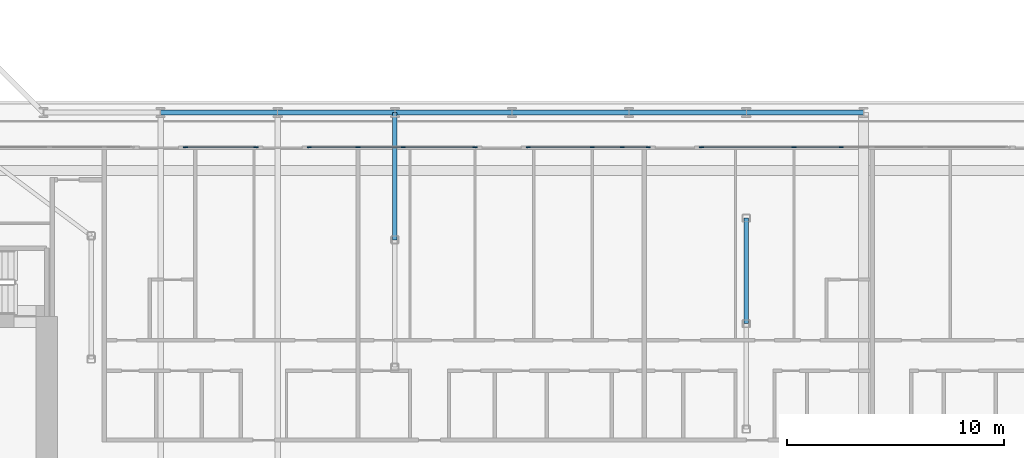
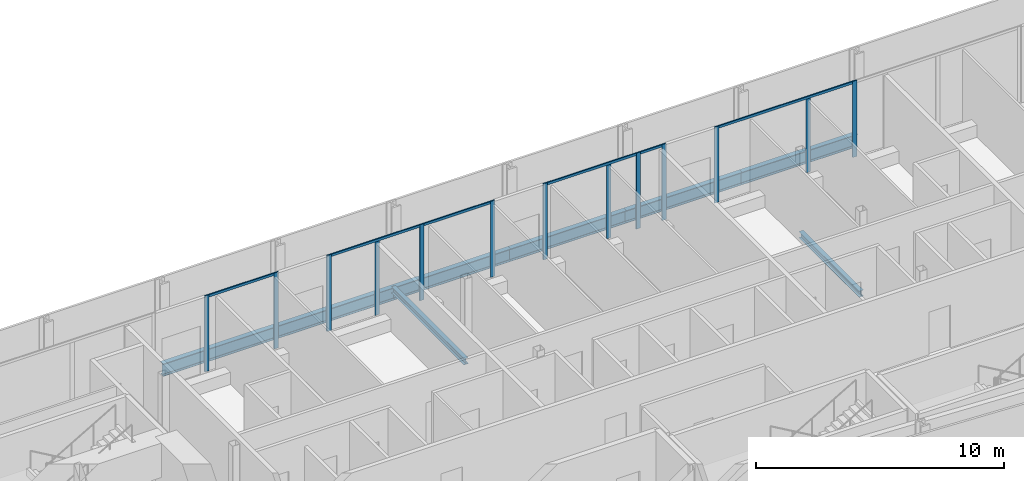
# One storey, part 6 of 28: 19 members, 8 beams, 6 elements without a shape of their own.
"""IFC4 building model written with IfcOpenShell, lengths in metres."""

from ifc_helpers import new_model, si_unit, direction, frame, origin, origin_2d, place, context, subcontext, project, spatial, rectangle, i_section, extrude, material, layer, layer_set, material_profile, profile_set, type_object, element, aggregate, save


model = new_model("IFC4")

# Units and contexts
model_context = context("Model", 3, precision=1e-05, world=origin(), true_north=direction((0.0, 1.0)))
body_context = subcontext(model_context, "Body", "Model", "MODEL_VIEW")
ifc_project = project(units=[si_unit("LENGTHUNIT", "METRE"), si_unit("AREAUNIT", "SQUARE_METRE"), si_unit("VOLUMEUNIT", "CUBIC_METRE"), si_unit("PLANEANGLEUNIT", "RADIAN"), si_unit("MASSUNIT", "GRAM", prefix="KILO")], contexts=[model_context])

# Site, building, storey
site_placement = place(None, origin())
site = spatial("IfcSite", under=ifc_project, at=site_placement, CompositionType="ELEMENT")
building_placement = place(site_placement, origin())
building = spatial("IfcBuilding", under=site, at=building_placement, Name="Kheshtan School and Residences Tower", CompositionType="ELEMENT")
storey_placement = place(building_placement, frame((0.0, 0.0, 73.39990234375)))
storey = spatial("IfcBuildingStorey", under=building, at=storey_placement, Name="L17", CompositionType="ELEMENT", Elevation=73.39990234375)

# Beams
ifc_material_1 = material(Name="Steel ASTM A992 Grade 50", Category="steel")
ifc_material_profile_1 = material_profile(ifc_material_1, i_section(OverallWidth=0.202880859375, OverallDepth=0.302978515625, WebThickness=0.007568359375, FlangeThickness=0.01318359375, FilletRadius=0.009033203125, at=origin_2d()), Name="W310x60")
ifc_profile_set_1 = profile_set([ifc_material_profile_1], Name="Steel ASTM A992 Grade 50")
beam_type_1 = type_object("IfcBeamType", Name="Beam FB1 W310x60 ASTM A992 Grade 50", PredefinedType="BEAM", material=ifc_profile_set_1)
beam_1_placement = place(storey_placement, frame((69.199951171875, 45.60009765625, -0.301513671875), z_axis=(0.0, -1.0, 0.0), x_axis=(1.0, 0.0, 0.0)))
element("IfcBeam", 1, at=beam_1_placement, inside=storey, type_object=beam_type_1, Name="Floor beam C064", PredefinedType="BEAM", context=body_context, shape_type="SweptSolid", body=[
    extrude(i_section(OverallWidth=0.202880859375, OverallDepth=0.302978515625, WebThickness=0.007568359375, FlangeThickness=0.01318359375, FilletRadius=0.009033203125, at=origin_2d()), origin(), (0.0, 0.0, 1.0), 5.8681640625),
])
beam_2_placement = place(storey_placement, frame((85.39990234375, 40.735107421875, -0.301513671875), z_axis=(0.0, -1.0, 0.0), x_axis=(1.0, 0.0, 0.0)))
element("IfcBeam", 2, at=beam_2_placement, inside=storey, type_object=beam_type_1, Name="Floor beam IC", PredefinedType="BEAM", context=body_context, shape_type="SweptSolid", body=[
    extrude(i_section(OverallWidth=0.202880859375, OverallDepth=0.302978515625, WebThickness=0.007568359375, FlangeThickness=0.01318359375, FilletRadius=0.009033203125, at=origin_2d()), origin(), (0.0, 0.0, 1.0), 4.864990234375),
])
ifc_material_profile_2 = material_profile(ifc_material_1, i_section(OverallWidth=0.22998046875, OverallDepth=0.616943359375, WebThickness=0.01318359375, FlangeThickness=0.022216796875, FilletRadius=0.0185546875, at=origin_2d()), Name="W610x140")
ifc_profile_set_2 = profile_set([ifc_material_profile_2], Name="Steel ASTM A992 Grade 50")
beam_type_2 = type_object("IfcBeamType", Name="Beam SP1 W610x140 ASTM A992 Grade 50", PredefinedType="BEAM", material=ifc_profile_set_2)
beam_3_placement = place(storey_placement, frame((58.39990234375, 45.60009765625, -0.45849609375), z_axis=(1.0, 0.0, 0.0), x_axis=(0.0, 1.0, 0.0)))
element("IfcBeam", 3, at=beam_3_placement, inside=storey, type_object=beam_type_2, Name="Spandrel beam C062-C063", PredefinedType="BEAM", context=body_context, shape_type="SweptSolid", body=[
    extrude(i_section(OverallWidth=0.22998046875, OverallDepth=0.616943359375, WebThickness=0.01318359375, FlangeThickness=0.022216796875, FilletRadius=0.0185546875, at=origin_2d()), origin(), (0.0, 0.0, 1.0), 5.400146484375),
])
beam_4_placement = place(storey_placement, frame((63.800048828125, 45.60009765625, -0.45849609375), z_axis=(1.0, 0.0, 0.0), x_axis=(0.0, 1.0, 0.0)))
element("IfcBeam", 4, at=beam_4_placement, inside=storey, type_object=beam_type_2, Name="Spandrel beam C063-C064", PredefinedType="BEAM", context=body_context, shape_type="SweptSolid", body=[
    extrude(i_section(OverallWidth=0.22998046875, OverallDepth=0.616943359375, WebThickness=0.01318359375, FlangeThickness=0.022216796875, FilletRadius=0.0185546875, at=origin_2d()), origin(), (0.0, 0.0, 1.0), 5.39990234375),
])
beam_5_placement = place(storey_placement, frame((69.199951171875, 45.60009765625, -0.45849609375), z_axis=(1.0, 0.0, 0.0), x_axis=(0.0, 1.0, 0.0)))
element("IfcBeam", 5, at=beam_5_placement, inside=storey, type_object=beam_type_2, Name="Spandrel beam C064-C065", PredefinedType="BEAM", context=body_context, shape_type="SweptSolid", body=[
    extrude(i_section(OverallWidth=0.22998046875, OverallDepth=0.616943359375, WebThickness=0.01318359375, FlangeThickness=0.022216796875, FilletRadius=0.0185546875, at=origin_2d()), origin(), (0.0, 0.0, 1.0), 5.400146484375),
])
for number, where, z_axis, x_axis, name in (
    (6, (74.60009765625, 45.60009765625, -0.45849609375), (1.0, 0.0, 0.0), (0.0, 1.0, 0.0), "Spandrel beam C065-C066"),
    (7, (80.0, 45.60009765625, -0.45849609375), (1.0, 0.0, 0.0), (0.0, 1.0, 0.0), "Spandrel beam C066-C067"),
):
    element("IfcBeam", number, at=place(storey_placement, frame(where, z_axis=z_axis, x_axis=x_axis)), inside=storey, type_object=beam_type_2, Name=name, PredefinedType="BEAM", context=body_context, shape_type="SweptSolid", body=[
        extrude(i_section(OverallWidth=0.22998046875, OverallDepth=0.616943359375, WebThickness=0.01318359375, FlangeThickness=0.022216796875, FilletRadius=0.0185546875, at=origin_2d()), origin(), (0.0, 0.0, 1.0), 5.39990234375),
    ])
beam_6_placement = place(storey_placement, frame((85.39990234375, 45.60009765625, -0.45849609375), z_axis=(1.0, 0.0, 0.0), x_axis=(0.0, 1.0, 0.0)))
element("IfcBeam", 8, at=beam_6_placement, inside=storey, type_object=beam_type_2, Name="Spandrel beam C067-C068", PredefinedType="BEAM", context=body_context, shape_type="SweptSolid", body=[
    extrude(i_section(OverallWidth=0.22998046875, OverallDepth=0.616943359375, WebThickness=0.01318359375, FlangeThickness=0.022216796875, FilletRadius=0.0185546875, at=origin_2d()), origin(), (0.0, 0.0, 1.0), 5.400146484375),
])

# Curtain wall, members
ifc_material_2 = material(Name="Clear low-e glass in thermally broken aluminium frame", Category="aluminium")
ifc_layer = layer(ifc_material_2, 0.199951171875)
ifc_layer_set = layer_set([ifc_layer], Name="Curtain wall CW-L")
curtain_wall_type = type_object("IfcCurtainWallType", Name="Curtain wall CW-L", PredefinedType="NOTDEFINED", material=ifc_layer_set)
curtain_wall_1_placement = place(storey_placement, origin())
curtain_wall_1 = element("IfcCurtainWall", 9, at=curtain_wall_1_placement, inside=storey, type_object=curtain_wall_type, Name="Curtain wall CWL12n", PredefinedType="NOTDEFINED")
ifc_material_3 = material(Name="Thermally broken aluminium, dark bronze anodised", Category="aluminium")
ifc_material_profile_3 = material_profile(ifc_material_3, rectangle(XDim=0.06005859375, YDim=0.199951171875, at=origin_2d()), Name="CW-L mullion 60x200")
ifc_profile_set_3 = profile_set([ifc_material_profile_3], Name="Thermally broken aluminium, dark bronze anodised")
member_type_1 = type_object("IfcMemberType", Name="CW-L mullion 60x200", PredefinedType="MULLION", material=ifc_profile_set_3)
member_1_placement = place(storey_placement, frame((59.553955078125, 44.0, 0.0), z_axis=(0.0, 0.0, 1.0), x_axis=(0.0, 1.0, 0.0)))
member_1 = element("IfcMember", 10, at=member_1_placement, type_object=member_type_1, Name="CWL12n mullion 1", PredefinedType="MULLION", context=body_context, shape_type="SweptSolid", body=[
    extrude(rectangle(XDim=0.06005859375, YDim=0.199951171875, at=origin_2d()), origin(), (0.0, 0.0, 1.0), 3.75),
])
member_2_placement = place(storey_placement, frame((62.7939453125, 44.0, 0.0), z_axis=(0.0, 0.0, 1.0), x_axis=(0.0, 1.0, 0.0)))
member_2 = element("IfcMember", 11, at=member_2_placement, type_object=member_type_1, Name="CWL12n mullion 2", PredefinedType="MULLION", context=body_context, shape_type="SweptSolid", body=[
    extrude(rectangle(XDim=0.06005859375, YDim=0.199951171875, at=origin_2d()), origin(), (0.0, 0.0, 1.0), 3.75),
])

curtain_wall_2_placement = place(storey_placement, origin())
curtain_wall_2 = element("IfcCurtainWall", 12, at=curtain_wall_2_placement, inside=storey, type_object=curtain_wall_type, Name="Curtain wall CWL12o", PredefinedType="NOTDEFINED")
member_3_placement = place(storey_placement, frame((65.25390625, 44.0, 0.0), z_axis=(0.0, 0.0, 1.0), x_axis=(0.0, 1.0, 0.0)))
member_3 = element("IfcMember", 13, at=member_3_placement, type_object=member_type_1, Name="CWL12o mullion 1", PredefinedType="MULLION", context=body_context, shape_type="SweptSolid", body=[
    extrude(rectangle(XDim=0.06005859375, YDim=0.199951171875, at=origin_2d()), origin(), (0.0, 0.0, 1.0), 3.75),
])
member_4_placement = place(storey_placement, frame((67.5, 44.0, 0.0), z_axis=(0.0, 0.0, 1.0), x_axis=(0.0, 1.0, 0.0)))
member_4 = element("IfcMember", 14, at=member_4_placement, type_object=member_type_1, Name="CWL12o mullion 2", PredefinedType="MULLION", context=body_context, shape_type="SweptSolid", body=[
    extrude(rectangle(XDim=0.06005859375, YDim=0.199951171875, at=origin_2d()), origin(), (0.0, 0.0, 1.0), 3.630126953125),
])
member_5_placement = place(storey_placement, frame((69.587890625, 44.0, 0.0), z_axis=(0.0, 0.0, 1.0), x_axis=(0.0, 1.0, 0.0)))
member_5 = element("IfcMember", 15, at=member_5_placement, type_object=member_type_1, Name="CWL12o mullion 3", PredefinedType="MULLION", context=body_context, shape_type="SweptSolid", body=[
    extrude(rectangle(XDim=0.06005859375, YDim=0.199951171875, at=origin_2d()), origin(), (0.0, 0.0, 1.0), 3.75),
])

# Curtain wall, member
curtain_wall_3_placement = place(storey_placement, origin())
curtain_wall_3 = element("IfcCurtainWall", 16, at=curtain_wall_3_placement, inside=storey, type_object=curtain_wall_type, Name="Curtain wall CWL12n", PredefinedType="NOTDEFINED")
member_6_placement = place(storey_placement, frame((72.887939453125, 44.0, 0.0), z_axis=(0.0, 0.0, 1.0), x_axis=(0.0, 1.0, 0.0)))
member_6 = element("IfcMember", 17, at=member_6_placement, type_object=member_type_1, Name="CWL12n mullion 2", PredefinedType="MULLION", context=body_context, shape_type="SweptSolid", body=[
    extrude(rectangle(XDim=0.06005859375, YDim=0.199951171875, at=origin_2d()), origin(), (0.0, 0.0, 1.0), 3.75),
])

# Curtain wall, members
curtain_wall_4_placement = place(storey_placement, origin())
curtain_wall_4 = element("IfcCurtainWall", 18, at=curtain_wall_4_placement, inside=storey, type_object=curtain_wall_type, Name="Curtain wall CWL12o", PredefinedType="NOTDEFINED")
member_7_placement = place(storey_placement, frame((75.347900390625, 44.0, 0.0), z_axis=(0.0, 0.0, 1.0), x_axis=(0.0, 1.0, 0.0)))
member_7 = element("IfcMember", 19, at=member_7_placement, type_object=member_type_1, Name="CWL12o mullion 1", PredefinedType="MULLION", context=body_context, shape_type="SweptSolid", body=[
    extrude(rectangle(XDim=0.06005859375, YDim=0.199951171875, at=origin_2d()), origin(), (0.0, 0.0, 1.0), 3.75),
])
member_8_placement = place(storey_placement, frame((78.300048828125, 44.0, 0.0), z_axis=(0.0, 0.0, 1.0), x_axis=(0.0, 1.0, 0.0)))
member_8 = element("IfcMember", 20, at=member_8_placement, type_object=member_type_1, Name="CWL12o mullion 2", PredefinedType="MULLION", context=body_context, shape_type="SweptSolid", body=[
    extrude(rectangle(XDim=0.06005859375, YDim=0.199951171875, at=origin_2d()), origin(), (0.0, 0.0, 1.0), 3.630126953125),
])
member_9_placement = place(storey_placement, frame((79.681884765625, 44.0, 0.0), z_axis=(0.0, 0.0, 1.0), x_axis=(0.0, 1.0, 0.0)))
member_9 = element("IfcMember", 21, at=member_9_placement, type_object=member_type_1, Name="CWL12o mullion 3", PredefinedType="MULLION", context=body_context, shape_type="SweptSolid", body=[
    extrude(rectangle(XDim=0.06005859375, YDim=0.199951171875, at=origin_2d()), origin(), (0.0, 0.0, 1.0), 3.75),
])

# Curtain wall, member
curtain_wall_5_placement = place(storey_placement, origin())
curtain_wall_5 = element("IfcCurtainWall", 22, at=curtain_wall_5_placement, inside=storey, type_object=curtain_wall_type, Name="Curtain wall CWL12b", PredefinedType="NOTDEFINED")
member_10_placement = place(storey_placement, frame((80.882080078125, 44.0, 0.0), z_axis=(0.0, 0.0, 1.0), x_axis=(0.0, 1.0, 0.0)))
member_10 = element("IfcMember", 23, at=member_10_placement, type_object=member_type_1, Name="CWL12b mullion 2", PredefinedType="MULLION", context=body_context, shape_type="SweptSolid", body=[
    extrude(rectangle(XDim=0.06005859375, YDim=0.199951171875, at=origin_2d()), origin(), (0.0, 0.0, 1.0), 3.75),
])

# Curtain wall, members
curtain_wall_6_placement = place(storey_placement, origin())
curtain_wall_6 = element("IfcCurtainWall", 24, at=curtain_wall_6_placement, inside=storey, type_object=curtain_wall_type, Name="Curtain wall CWL12p", PredefinedType="NOTDEFINED")
member_11_placement = place(storey_placement, frame((83.342041015625, 44.0, 0.0), z_axis=(0.0, 0.0, 1.0), x_axis=(0.0, 1.0, 0.0)))
member_11 = element("IfcMember", 25, at=member_11_placement, type_object=member_type_1, Name="CWL12p mullion 1", PredefinedType="MULLION", context=body_context, shape_type="SweptSolid", body=[
    extrude(rectangle(XDim=0.06005859375, YDim=0.199951171875, at=origin_2d()), origin(), (0.0, 0.0, 1.0), 3.75),
])
member_12_placement = place(storey_placement, frame((87.60009765625, 44.0, 0.0), z_axis=(0.0, 0.0, 1.0), x_axis=(0.0, 1.0, 0.0)))
member_12 = element("IfcMember", 26, at=member_12_placement, type_object=member_type_1, Name="CWL12p mullion 2", PredefinedType="MULLION", context=body_context, shape_type="SweptSolid", body=[
    extrude(rectangle(XDim=0.06005859375, YDim=0.199951171875, at=origin_2d()), origin(), (0.0, 0.0, 1.0), 3.630126953125),
])
member_13_placement = place(storey_placement, frame((89.77587890625, 44.0, 0.0), z_axis=(0.0, 0.0, 1.0), x_axis=(0.0, 1.0, 0.0)))
member_13 = element("IfcMember", 27, at=member_13_placement, type_object=member_type_1, Name="CWL12p mullion 3", PredefinedType="MULLION", context=body_context, shape_type="SweptSolid", body=[
    extrude(rectangle(XDim=0.06005859375, YDim=0.199951171875, at=origin_2d()), origin(), (0.0, 0.0, 1.0), 3.75),
])

# Member
ifc_material_profile_4 = material_profile(ifc_material_3, rectangle(XDim=0.06005859375, YDim=0.1201171875, at=origin_2d()), Name="CW-L transom 60x120")
ifc_profile_set_4 = profile_set([ifc_material_profile_4], Name="Thermally broken aluminium, dark bronze anodised")
member_type_2 = type_object("IfcMemberType", Name="CW-L transom 60x120", PredefinedType="USERDEFINED", material=ifc_profile_set_4)
member_14_placement = place(storey_placement, frame((59.583984375, 44.0, 3.690185546875), z_axis=(1.0, 0.0, 0.0), x_axis=(0.0, 1.0, 0.0)))
member_14 = element("IfcMember", 28, at=member_14_placement, type_object=member_type_2, Name="CWL12n transom 1", ObjectType="TRANSOM", PredefinedType="USERDEFINED", context=body_context, shape_type="SweptSolid", body=[
    extrude(rectangle(XDim=0.06005859375, YDim=0.1201171875, at=origin_2d()), origin(), (0.0, 0.0, 1.0), 3.179931640625),
])

aggregate(curtain_wall_1, [member_1, member_2, member_14])

member_15_placement = place(storey_placement, frame((65.283935546875, 44.0, 3.690185546875), z_axis=(1.0, 0.0, 0.0), x_axis=(0.0, 1.0, 0.0)))
member_15 = element("IfcMember", 29, at=member_15_placement, type_object=member_type_2, Name="CWL12o transom 1", ObjectType="TRANSOM", PredefinedType="USERDEFINED", context=body_context, shape_type="SweptSolid", body=[
    extrude(rectangle(XDim=0.06005859375, YDim=0.1201171875, at=origin_2d()), origin(), (0.0, 0.0, 1.0), 4.274169921875),
])

aggregate(curtain_wall_2, [member_3, member_4, member_5, member_15])

member_16_placement = place(storey_placement, frame((69.617919921875, 44.0, 3.690185546875), z_axis=(1.0, 0.0, 0.0), x_axis=(0.0, 1.0, 0.0)))
member_16 = element("IfcMember", 30, at=member_16_placement, type_object=member_type_2, Name="CWL12n transom 1", ObjectType="TRANSOM", PredefinedType="USERDEFINED", context=body_context, shape_type="SweptSolid", body=[
    extrude(rectangle(XDim=0.06005859375, YDim=0.1201171875, at=origin_2d()), origin(), (0.0, 0.0, 1.0), 3.239990234375),
])

aggregate(curtain_wall_3, [member_6, member_16])

member_17_placement = place(storey_placement, frame((75.3779296875, 44.0, 3.690185546875), z_axis=(1.0, 0.0, 0.0), x_axis=(0.0, 1.0, 0.0)))
member_17 = element("IfcMember", 31, at=member_17_placement, type_object=member_type_2, Name="CWL12o transom 1", ObjectType="TRANSOM", PredefinedType="USERDEFINED", context=body_context, shape_type="SweptSolid", body=[
    extrude(rectangle(XDim=0.06005859375, YDim=0.1201171875, at=origin_2d()), origin(), (0.0, 0.0, 1.0), 4.274169921875),
])

aggregate(curtain_wall_4, [member_7, member_8, member_9, member_17])

member_18_placement = place(storey_placement, frame((79.7119140625, 44.0, 3.690185546875), z_axis=(1.0, 0.0, 0.0), x_axis=(0.0, 1.0, 0.0)))
member_18 = element("IfcMember", 32, at=member_18_placement, type_object=member_type_2, Name="CWL12b transom 1", ObjectType="TRANSOM", PredefinedType="USERDEFINED", context=body_context, shape_type="SweptSolid", body=[
    extrude(rectangle(XDim=0.06005859375, YDim=0.1201171875, at=origin_2d()), origin(), (0.0, 0.0, 1.0), 1.14013671875),
])

aggregate(curtain_wall_5, [member_10, member_18])

member_19_placement = place(storey_placement, frame((83.3720703125, 44.0, 3.690185546875), z_axis=(1.0, 0.0, 0.0), x_axis=(0.0, 1.0, 0.0)))
member_19 = element("IfcMember", 33, at=member_19_placement, type_object=member_type_2, Name="CWL12p transom 1", ObjectType="TRANSOM", PredefinedType="USERDEFINED", context=body_context, shape_type="SweptSolid", body=[
    extrude(rectangle(XDim=0.06005859375, YDim=0.1201171875, at=origin_2d()), origin(), (0.0, 0.0, 1.0), 6.3740234375),
])

aggregate(curtain_wall_6, [member_11, member_12, member_13, member_19])

save(model, "model.ifc")
